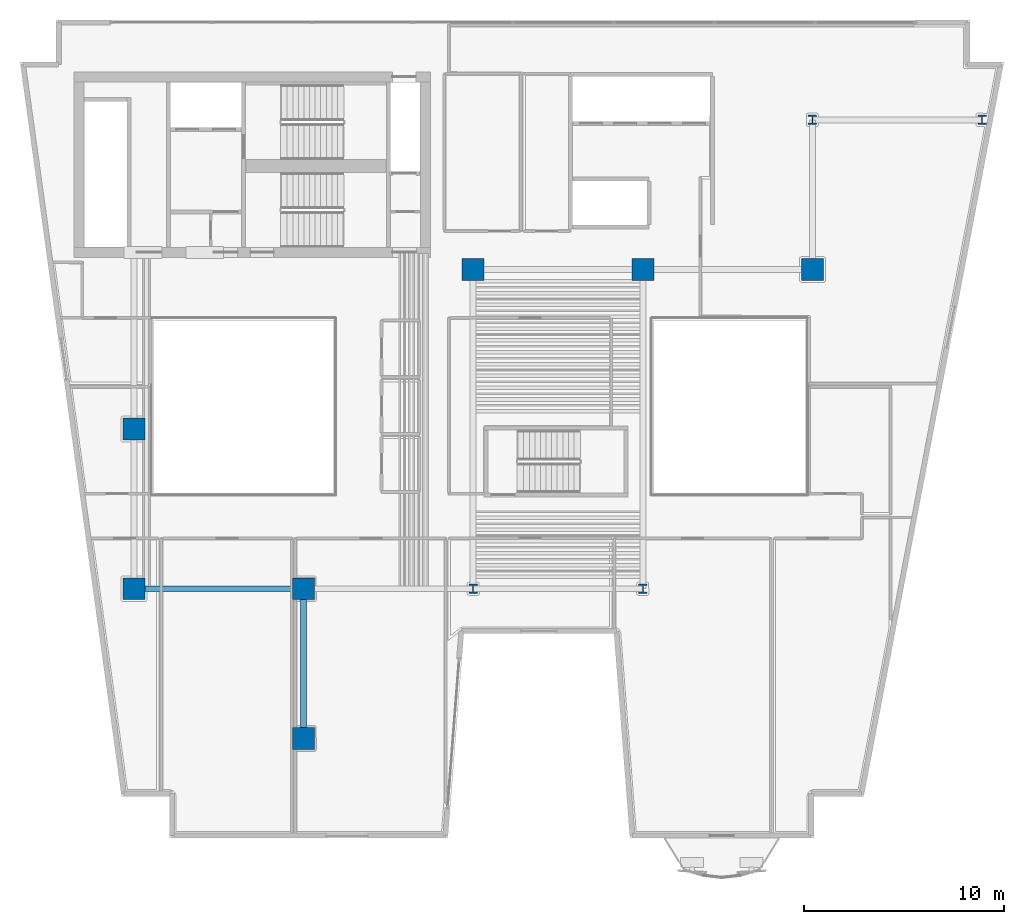
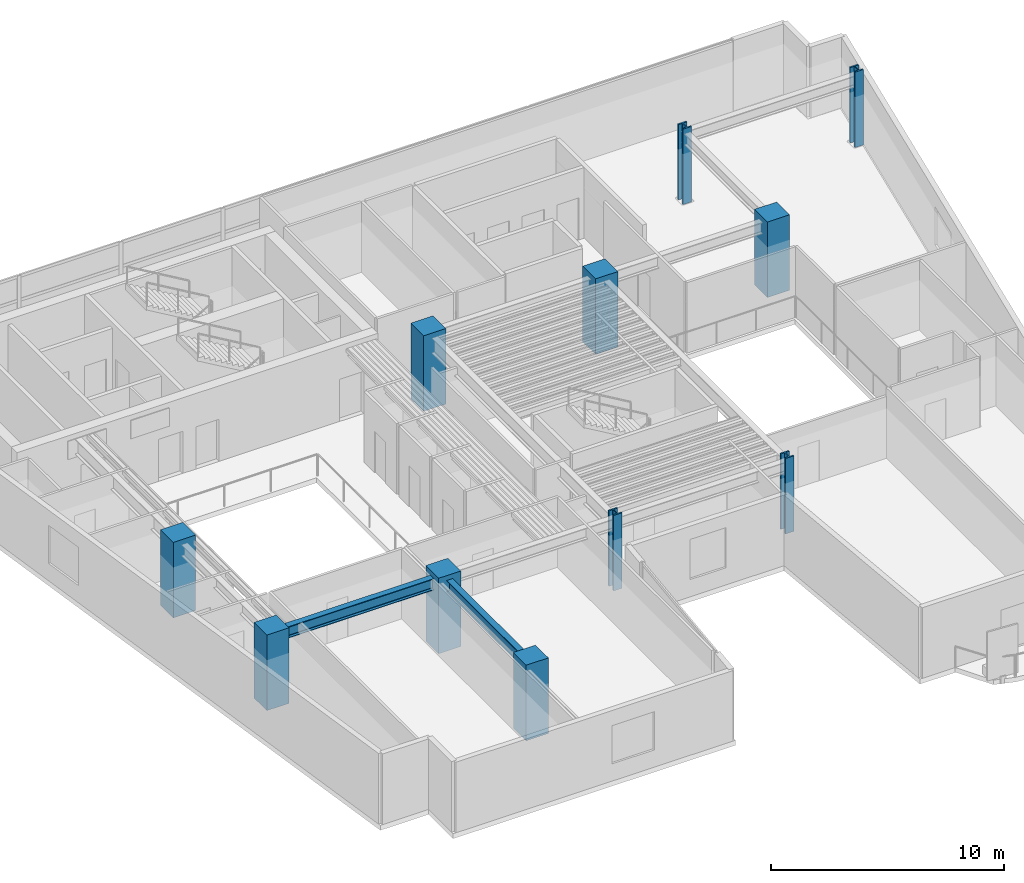
# One storey, part 1 of 13: 11 columns, 2 beams.
"""IFC4 building model written with IfcOpenShell, lengths in metres."""

from ifc_helpers import new_model, si_unit, direction, frame, origin, origin_2d, place, context, subcontext, project, spatial, rectangle, i_section, extrude, material, material_profile, profile_set, type_object, element, save


model = new_model("IFC4")

# Units and contexts
model_context = context("Model", 3, precision=1e-05, world=origin(), true_north=direction((0.0, 1.0)))
body_context = subcontext(model_context, "Body", "Model", "MODEL_VIEW")
ifc_project = project(units=[si_unit("LENGTHUNIT", "METRE"), si_unit("AREAUNIT", "SQUARE_METRE"), si_unit("VOLUMEUNIT", "CUBIC_METRE"), si_unit("PLANEANGLEUNIT", "RADIAN"), si_unit("MASSUNIT", "GRAM", prefix="KILO")], contexts=[model_context])

# Site, building, storey
site_placement = place(None, origin())
site = spatial("IfcSite", under=ifc_project, at=site_placement, CompositionType="ELEMENT")
building_placement = place(site_placement, origin())
building = spatial("IfcBuilding", under=site, at=building_placement, Name="Caeloran Harvest Quay", CompositionType="ELEMENT")
storey_placement = place(building_placement, frame((0.0, 0.0, 170.64990234375)))
storey = spatial("IfcBuildingStorey", under=building, at=storey_placement, Name="L40", CompositionType="ELEMENT", Elevation=170.64990234375)

# Columns
ifc_material_1 = material(Name="Concrete C70/85", Category="concrete")
ifc_material_profile_1 = material_profile(ifc_material_1, rectangle(XDim=1.10009765625, YDim=1.10009765625, at=origin_2d()), Name="RC 1100x1100")
ifc_profile_set_1 = profile_set([ifc_material_profile_1], Name="Concrete C70/85")
column_type_1 = type_object("IfcColumnType", Name="COL-MC-3-RC_1100x1100", PredefinedType="COLUMN", material=ifc_profile_set_1)
for number, where, z_axis, x_axis, name in (
    (1, (8.5, 15.0, 0.0), (0.0, 0.0, 1.0), (1.0, 0.0, 0.0), "L40 Structural Column (8.5, 15.0)"),
    (2, (8.5, 23.0, 0.0), (0.0, 0.0, 1.0), (1.0, 0.0, 0.0), "L40 Structural Column (8.5, 23.0)"),
    (3, (17.0, 7.5, 0.0), (0.0, 0.0, 1.0), (1.0, 0.0, 0.0), "L40 Structural Column (17.0, 7.5)"),
    (4, (17.0, 15.0, 0.0), (0.0, 0.0, 1.0), (1.0, 0.0, 0.0), "L40 Structural Column (17.0, 15.0)"),
    (5, (25.5, 31.0, 0.0), (0.0, 0.0, 1.0), (1.0, 0.0, 0.0), "L40 Structural Column (25.5, 31.0)"),
    (6, (34.0, 31.0, 0.0), (0.0, 0.0, 1.0), (1.0, 0.0, 0.0), "L40 Structural Column (34.0, 31.0)"),
    (7, (42.5, 31.0, 0.0), (0.0, 0.0, 1.0), (1.0, 0.0, 0.0), "L40 Structural Column (42.5, 31.0)"),
):
    element("IfcColumn", number, at=place(storey_placement, frame(where, z_axis=z_axis, x_axis=x_axis)), inside=storey, type_object=column_type_1, Name=name, PredefinedType="COLUMN", context=body_context, shape_type="SweptSolid", body=[
        extrude(rectangle(XDim=1.10009765625, YDim=1.10009765625, at=origin_2d()), origin(), (0.0, 0.0, 1.0), 3.9501953125),
    ])
ifc_material_2 = material(Name="Steel HISTAR 460", Category="steel")
ifc_material_profile_2 = material_profile(ifc_material_2, i_section(OverallWidth=0.424072265625, OverallDepth=0.47412109375, WebThickness=0.047607421875, FlangeThickness=0.076904296875, FilletRadius=0.014892578125, at=origin_2d()), Name="HD 400x634")
ifc_profile_set_2 = profile_set([ifc_material_profile_2], Name="Steel HISTAR 460")
column_type_2 = type_object("IfcColumnType", Name="COL-SC-3-HD_400x634", PredefinedType="COLUMN", material=ifc_profile_set_2)
for number, where, z_axis, x_axis, name in (
    (8, (25.5, 15.0, 0.0), (0.0, 0.0, 1.0), (1.0, 0.0, 0.0), "L40 Structural Column (25.5, 15.0)"),
    (9, (34.0, 15.0, 0.0), (0.0, 0.0, 1.0), (1.0, 0.0, 0.0), "L40 Structural Column (34.0, 15.0)"),
    (10, (42.5, 38.5, 0.0), (0.0, 0.0, 1.0), (1.0, 0.0, 0.0), "L40 Structural Column (42.5, 38.5)"),
    (11, (51.0, 38.5, 0.0), (0.0, 0.0, 1.0), (1.0, 0.0, 0.0), "L40 Structural Column (51.0, 38.5)"),
):
    element("IfcColumn", number, at=place(storey_placement, frame(where, z_axis=z_axis, x_axis=x_axis)), inside=storey, type_object=column_type_2, Name=name, PredefinedType="COLUMN", context=body_context, shape_type="SweptSolid", body=[
        extrude(i_section(OverallWidth=0.424072265625, OverallDepth=0.47412109375, WebThickness=0.047607421875, FlangeThickness=0.076904296875, FilletRadius=0.014892578125, at=origin_2d()), origin(), (0.0, 0.0, 1.0), 3.9501953125),
    ])

# Beams
ifc_material_3 = material(Name="Steel S355J2", Category="steel")
ifc_material_profile_3 = material_profile(ifc_material_3, i_section(OverallWidth=0.300048828125, OverallDepth=0.60009765625, WebThickness=0.015380859375, FlangeThickness=0.030029296875, FilletRadius=0.027099609375, at=origin_2d()), Name="HE 600 B")
ifc_profile_set_3 = profile_set([ifc_material_profile_3], Name="Steel S355J2")
beam_type = type_object("IfcBeamType", Name="BM-PG-3-HE_600_B", PredefinedType="BEAM", material=ifc_profile_set_3)
beam_1_placement = place(storey_placement, frame((8.5, 15.0, 3.39013671875), z_axis=(1.0, 0.0, 0.0), x_axis=(0.0, 1.0, 0.0)))
element("IfcBeam", 12, at=beam_1_placement, inside=storey, type_object=beam_type, Name="L40 Primary East-West Girder Y=15.0", PredefinedType="BEAM", context=body_context, shape_type="SweptSolid", body=[
    extrude(i_section(OverallWidth=0.300048828125, OverallDepth=0.60009765625, WebThickness=0.015380859375, FlangeThickness=0.030029296875, FilletRadius=0.027099609375, at=origin_2d()), origin(), (0.0, 0.0, 1.0), 8.5),
])
beam_2_placement = place(storey_placement, frame((17.0, 7.5, 3.39013671875), z_axis=(0.0, 1.0, 0.0), x_axis=(-1.0, 0.0, 0.0)))
element("IfcBeam", 13, at=beam_2_placement, inside=storey, type_object=beam_type, Name="L40 Primary North-South Girder X=17.0", PredefinedType="BEAM", context=body_context, shape_type="SweptSolid", body=[
    extrude(i_section(OverallWidth=0.300048828125, OverallDepth=0.60009765625, WebThickness=0.015380859375, FlangeThickness=0.030029296875, FilletRadius=0.027099609375, at=origin_2d()), origin(), (0.0, 0.0, 1.0), 7.5),
])

save(model, "model.ifc")
